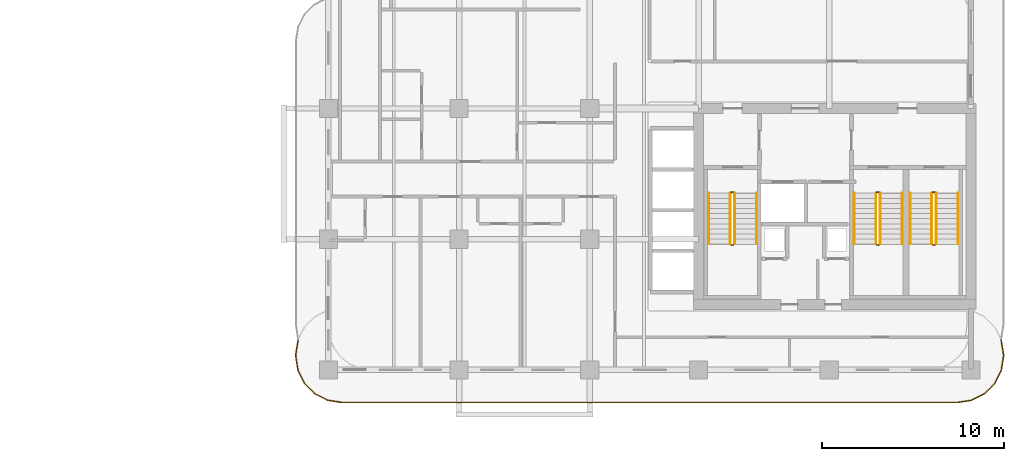
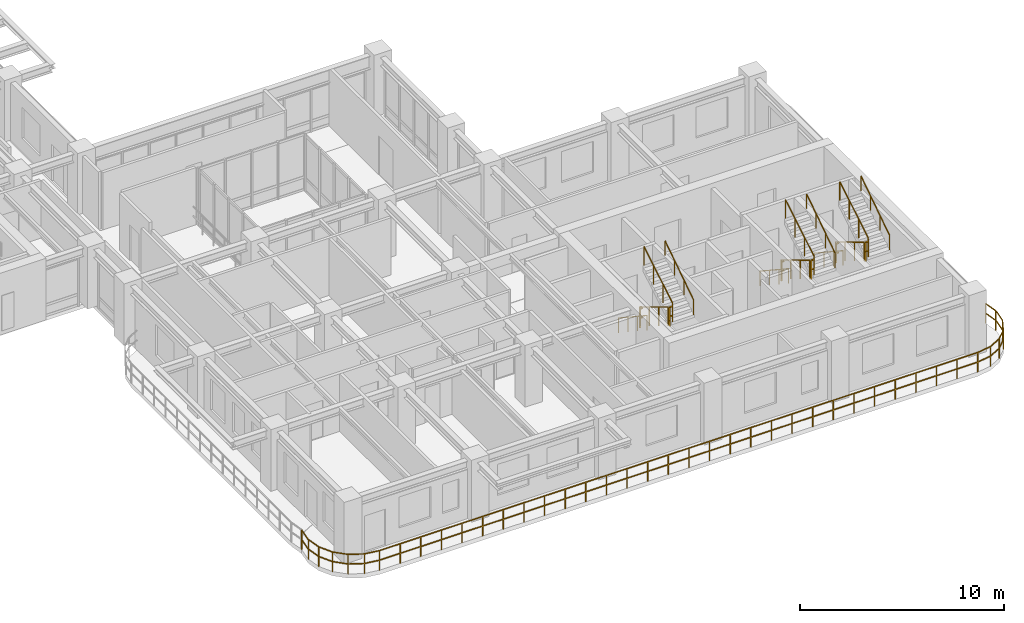
# One storey, part 17 of 19: 19 railings.
"""IFC4 building model written with IfcOpenShell, lengths in metres."""

from ifc_helpers import new_model, si_unit, derived_unit, direction, frame, origin, origin_2d, place, context, subcontext, project, spatial, rectangle, extrude, material, type_object, element, save


model = new_model("IFC4")

# Units and contexts
model_context = context("Model", 3, precision=1e-05, world=origin(), true_north=direction((0.0, 1.0)))
body_context = subcontext(model_context, "Body", "Model", "MODEL_VIEW")
ifc_project = project(units=[si_unit("LENGTHUNIT", "METRE"), si_unit("AREAUNIT", "SQUARE_METRE"), si_unit("VOLUMEUNIT", "CUBIC_METRE"), si_unit("PLANEANGLEUNIT", "RADIAN"), si_unit("MASSUNIT", "GRAM", prefix="KILO"), si_unit("THERMODYNAMICTEMPERATUREUNIT", "KELVIN"), si_unit("POWERUNIT", "WATT"), derived_unit("THERMALTRANSMITTANCEUNIT", [(si_unit("POWERUNIT", "WATT"), 1), (si_unit("AREAUNIT", "SQUARE_METRE"), -1), (si_unit("THERMODYNAMICTEMPERATUREUNIT", "KELVIN"), -1)])], contexts=[model_context])

# Site, building, storey
site_placement = place(None, origin())
site = spatial("IfcSite", under=ifc_project, at=site_placement, CompositionType="ELEMENT")
building_placement = place(site_placement, origin())
building = spatial("IfcBuilding", under=site, at=building_placement, Name="Zahravan Archway Hotel and Residences", CompositionType="ELEMENT")
storey_placement = place(building_placement, frame((0.0, 0.0, 134.0)))
storey = spatial("IfcBuildingStorey", under=building, at=storey_placement, Name="L33", CompositionType="ELEMENT", Elevation=134.0)

# Railings
ifc_material_1 = material(Name="Bronze & Laminated Glass Balustrade", Category="glass")
railing_type_1 = type_object("IfcRailingType", Name="RL-BAL-1200", PredefinedType="BALUSTRADE", material=ifc_material_1)
railing_1_placement = place(storey_placement, frame((51.47509765625, 1.637939453125, 0.0)))
element("IfcRailing", 1, at=railing_1_placement, inside=storey, type_object=railing_type_1, Name="L33 Balustrade RL-SLB-BAL-L33-SA-1", PredefinedType="BALUSTRADE", context=body_context, shape_type="SweptSolid", body=[
    extrude(rectangle(XDim=0.048095703125, YDim=0.048095703125, at=origin_2d()), frame((0.0, 0.0, 1.17578125), z_axis=(0.156701202656, -0.987646056584, 0.0), x_axis=(0.987646056584, 0.156701202656, 0.0)), (0.0, 0.0, 1.0), 0.797607421875),
    extrude(rectangle(XDim=0.048095703125, YDim=0.048095703125, at=origin_2d()), frame((0.0, 0.0, 0.60009765625), z_axis=(0.156701202656, -0.987646056584, 0.0), x_axis=(0.987646056584, 0.156701202656, 0.0)), (0.0, 0.0, 1.0), 0.797607421875),
    extrude(rectangle(XDim=0.048095703125, YDim=0.048095703125, at=origin_2d()), frame((0.125, -0.787841796875, 1.17578125), z_axis=(0.0, -1.0, 0.0), x_axis=(1.0, 0.0, 0.0)), (0.0, 0.0, 1.0), 0.10009765625),
    extrude(rectangle(XDim=0.048095703125, YDim=0.048095703125, at=origin_2d()), frame((0.125, -0.787841796875, 0.60009765625), z_axis=(0.0, -1.0, 0.0), x_axis=(1.0, 0.0, 0.0)), (0.0, 0.0, 1.0), 0.10009765625),
    extrude(rectangle(XDim=0.048095703125, YDim=0.048095703125, at=origin_2d()), frame((0.125, -0.887939453125, 1.17578125), z_axis=(-0.156653849773, -0.98765356849, 0.0), x_axis=(0.98765356849, -0.156653849773, 0.0)), (0.0, 0.0, 1.0), 0.7978515625),
    extrude(rectangle(XDim=0.048095703125, YDim=0.048095703125, at=origin_2d()), frame((0.125, -0.887939453125, 0.60009765625), z_axis=(-0.156653849773, -0.98765356849, 0.0), x_axis=(0.98765356849, -0.156653849773, 0.0)), (0.0, 0.0, 1.0), 0.7978515625),
    extrude(rectangle(XDim=0.048095703125, YDim=0.048095703125, at=origin_2d()), frame((0.0, -1.676025390625, 1.17578125), z_axis=(-0.453934952053, -0.891034824967, 0.0), x_axis=(0.891034824967, -0.453934952053, 0.0)), (0.0, 0.0, 1.0), 0.797607421875),
    extrude(rectangle(XDim=0.048095703125, YDim=0.048095703125, at=origin_2d()), frame((0.0, -1.676025390625, 0.60009765625), z_axis=(-0.453934952053, -0.891034824967, 0.0), x_axis=(0.891034824967, -0.453934952053, 0.0)), (0.0, 0.0, 1.0), 0.797607421875),
    extrude(rectangle(XDim=0.048095703125, YDim=0.048095703125, at=origin_2d()), frame((-0.362060546875, -2.38671875, 1.17578125), z_axis=(-0.707106781187, -0.707106781187, 0.0), x_axis=(0.707106781187, -0.707106781187, 0.0)), (0.0, 0.0, 1.0), 0.7978515625),
    extrude(rectangle(XDim=0.048095703125, YDim=0.048095703125, at=origin_2d()), frame((-0.362060546875, -2.38671875, 0.60009765625), z_axis=(-0.707106781187, -0.707106781187, 0.0), x_axis=(0.707106781187, -0.707106781187, 0.0)), (0.0, 0.0, 1.0), 0.7978515625),
    extrude(rectangle(XDim=0.048095703125, YDim=0.048095703125, at=origin_2d()), frame((-0.92626953125, -2.950927734375, 1.17578125), z_axis=(-0.890974108706, -0.454054113091, 0.0), x_axis=(0.454054113091, -0.890974108706, 0.0)), (0.0, 0.0, 1.0), 0.7978515625),
    extrude(rectangle(XDim=0.048095703125, YDim=0.048095703125, at=origin_2d()), frame((-0.92626953125, -2.950927734375, 0.60009765625), z_axis=(-0.890974108706, -0.454054113091, 0.0), x_axis=(0.454054113091, -0.890974108706, 0.0)), (0.0, 0.0, 1.0), 0.7978515625),
    extrude(rectangle(XDim=0.048095703125, YDim=0.048095703125, at=origin_2d()), frame((-1.63720703125, -3.313232421875, 1.17578125), z_axis=(-0.987693380745, -0.156402639467, 0.0), x_axis=(0.156402639467, -0.987693380745, 0.0)), (0.0, 0.0, 1.0), 0.797607421875),
    extrude(rectangle(XDim=0.048095703125, YDim=0.048095703125, at=origin_2d()), frame((-1.63720703125, -3.313232421875, 0.60009765625), z_axis=(-0.987693380745, -0.156402639467, 0.0), x_axis=(0.156402639467, -0.987693380745, 0.0)), (0.0, 0.0, 1.0), 0.797607421875),
    extrude(rectangle(XDim=0.048095703125, YDim=0.048095703125, at=origin_2d()), frame((-2.425048828125, -3.43798828125, 1.17578125), z_axis=(-1.0, 0.0, 0.0), x_axis=(0.0, -1.0, 0.0)), (0.0, 0.0, 1.0), 33.900146484375),
    extrude(rectangle(XDim=0.048095703125, YDim=0.048095703125, at=origin_2d()), frame((-2.425048828125, -3.43798828125, 0.60009765625), z_axis=(-1.0, 0.0, 0.0), x_axis=(0.0, -1.0, 0.0)), (0.0, 0.0, 1.0), 33.900146484375),
    extrude(rectangle(XDim=0.048095703125, YDim=0.048095703125, at=origin_2d()), frame((-36.3251953125, -3.43798828125, 1.17578125), z_axis=(-0.987693380745, 0.156402639467, 0.0), x_axis=(-0.156402639467, -0.987693380745, 0.0)), (0.0, 0.0, 1.0), 0.797607421875),
    extrude(rectangle(XDim=0.048095703125, YDim=0.048095703125, at=origin_2d()), frame((-36.3251953125, -3.43798828125, 0.60009765625), z_axis=(-0.987693380745, 0.156402639467, 0.0), x_axis=(-0.156402639467, -0.987693380745, 0.0)), (0.0, 0.0, 1.0), 0.797607421875),
    extrude(rectangle(XDim=0.048095703125, YDim=0.048095703125, at=origin_2d()), frame((-37.113037109375, -3.313232421875, 1.17578125), z_axis=(-0.890974108706, 0.454054113091, 0.0), x_axis=(-0.454054113091, -0.890974108706, 0.0)), (0.0, 0.0, 1.0), 0.7978515625),
    extrude(rectangle(XDim=0.048095703125, YDim=0.048095703125, at=origin_2d()), frame((-37.113037109375, -3.313232421875, 0.60009765625), z_axis=(-0.890974108706, 0.454054113091, 0.0), x_axis=(-0.454054113091, -0.890974108706, 0.0)), (0.0, 0.0, 1.0), 0.7978515625),
    extrude(rectangle(XDim=0.048095703125, YDim=0.048095703125, at=origin_2d()), frame((-37.823974609375, -2.950927734375, 1.17578125), z_axis=(-0.707106781187, 0.707106781187, 0.0), x_axis=(-0.707106781187, -0.707106781187, 0.0)), (0.0, 0.0, 1.0), 0.7978515625),
    extrude(rectangle(XDim=0.048095703125, YDim=0.048095703125, at=origin_2d()), frame((-37.823974609375, -2.950927734375, 0.60009765625), z_axis=(-0.707106781187, 0.707106781187, 0.0), x_axis=(-0.707106781187, -0.707106781187, 0.0)), (0.0, 0.0, 1.0), 0.7978515625),
    extrude(rectangle(XDim=0.048095703125, YDim=0.048095703125, at=origin_2d()), frame((-38.38818359375, -2.38671875, 1.17578125), z_axis=(-0.453934952053, 0.891034824967, 0.0), x_axis=(-0.891034824967, -0.453934952053, 0.0)), (0.0, 0.0, 1.0), 0.797607421875),
    extrude(rectangle(XDim=0.048095703125, YDim=0.048095703125, at=origin_2d()), frame((-38.38818359375, -2.38671875, 0.60009765625), z_axis=(-0.453934952053, 0.891034824967, 0.0), x_axis=(-0.891034824967, -0.453934952053, 0.0)), (0.0, 0.0, 1.0), 0.797607421875),
    extrude(rectangle(XDim=0.048095703125, YDim=0.048095703125, at=origin_2d()), frame((-38.750244140625, -1.676025390625, 1.17578125), z_axis=(-0.156355372278, 0.987700864412, 0.0), x_axis=(-0.987700864412, -0.156355372278, 0.0)), (0.0, 0.0, 1.0), 0.7978515625),
    extrude(rectangle(XDim=0.048095703125, YDim=0.048095703125, at=origin_2d()), frame((-38.750244140625, -1.676025390625, 0.60009765625), z_axis=(-0.156355372278, 0.987700864412, 0.0), x_axis=(-0.987700864412, -0.156355372278, 0.0)), (0.0, 0.0, 1.0), 0.7978515625),
    extrude(rectangle(XDim=0.048095703125, YDim=0.048095703125, at=origin_2d()), frame((-38.875, -0.887939453125, 1.17578125), z_axis=(0.0, 1.0, 0.0), x_axis=(-1.0, 0.0, 0.0)), (0.0, 0.0, 1.0), 0.10009765625),
    extrude(rectangle(XDim=0.048095703125, YDim=0.048095703125, at=origin_2d()), frame((-38.875, -0.887939453125, 0.60009765625), z_axis=(0.0, 1.0, 0.0), x_axis=(-1.0, 0.0, 0.0)), (0.0, 0.0, 1.0), 0.10009765625),
    extrude(rectangle(XDim=0.048095703125, YDim=0.048095703125, at=origin_2d()), frame((-38.875, -0.787841796875, 1.17578125), z_axis=(0.156402639467, 0.987693380745, 0.0), x_axis=(-0.987693380745, 0.156402639467, 0.0)), (0.0, 0.0, 1.0), 0.797607421875),
    extrude(rectangle(XDim=0.048095703125, YDim=0.048095703125, at=origin_2d()), frame((-38.875, -0.787841796875, 0.60009765625), z_axis=(0.156402639467, 0.987693380745, 0.0), x_axis=(-0.987693380745, 0.156402639467, 0.0)), (0.0, 0.0, 1.0), 0.797607421875),
    extrude(rectangle(XDim=0.0419921875, YDim=0.0419921875, at=origin_2d()), origin(), (0.0, 0.0, 1.0), 1.15185546875),
    extrude(rectangle(XDim=0.0419921875, YDim=0.0419921875, at=origin_2d()), frame((0.125, -0.787841796875, 0.0)), (0.0, 0.0, 1.0), 1.15185546875),
    extrude(rectangle(XDim=0.0419921875, YDim=0.0419921875, at=origin_2d()), frame((0.0, -1.676025390625, 0.0)), (0.0, 0.0, 1.0), 1.15185546875),
    extrude(rectangle(XDim=0.0419921875, YDim=0.0419921875, at=origin_2d()), frame((-0.362060546875, -2.38671875, 0.0)), (0.0, 0.0, 1.0), 1.15185546875),
    extrude(rectangle(XDim=0.0419921875, YDim=0.0419921875, at=origin_2d()), frame((-0.92626953125, -2.950927734375, 0.0)), (0.0, 0.0, 1.0), 1.15185546875),
    extrude(rectangle(XDim=0.0419921875, YDim=0.0419921875, at=origin_2d()), frame((-1.63720703125, -3.313232421875, 0.0)), (0.0, 0.0, 1.0), 1.15185546875),
    extrude(rectangle(XDim=0.0419921875, YDim=0.0419921875, at=origin_2d()), frame((-2.425048828125, -3.43798828125, 0.0)), (0.0, 0.0, 1.0), 1.15185546875),
    extrude(rectangle(XDim=0.0419921875, YDim=0.0419921875, at=origin_2d()), frame((-3.593994140625, -3.43798828125, 0.0)), (0.0, 0.0, 1.0), 1.15185546875),
    extrude(rectangle(XDim=0.0419921875, YDim=0.0419921875, at=origin_2d()), frame((-4.762939453125, -3.43798828125, 0.0)), (0.0, 0.0, 1.0), 1.15185546875),
    extrude(rectangle(XDim=0.0419921875, YDim=0.0419921875, at=origin_2d()), frame((-5.931884765625, -3.43798828125, 0.0)), (0.0, 0.0, 1.0), 1.15185546875),
    extrude(rectangle(XDim=0.0419921875, YDim=0.0419921875, at=origin_2d()), frame((-7.100830078125, -3.43798828125, 0.0)), (0.0, 0.0, 1.0), 1.15185546875),
    extrude(rectangle(XDim=0.0419921875, YDim=0.0419921875, at=origin_2d()), frame((-8.27001953125, -3.43798828125, 0.0)), (0.0, 0.0, 1.0), 1.15185546875),
    extrude(rectangle(XDim=0.0419921875, YDim=0.0419921875, at=origin_2d()), frame((-9.43896484375, -3.43798828125, 0.0)), (0.0, 0.0, 1.0), 1.15185546875),
    extrude(rectangle(XDim=0.0419921875, YDim=0.0419921875, at=origin_2d()), frame((-10.60791015625, -3.43798828125, 0.0)), (0.0, 0.0, 1.0), 1.15185546875),
    extrude(rectangle(XDim=0.0419921875, YDim=0.0419921875, at=origin_2d()), frame((-11.77685546875, -3.43798828125, 0.0)), (0.0, 0.0, 1.0), 1.15185546875),
    extrude(rectangle(XDim=0.0419921875, YDim=0.0419921875, at=origin_2d()), frame((-12.94580078125, -3.43798828125, 0.0)), (0.0, 0.0, 1.0), 1.15185546875),
    extrude(rectangle(XDim=0.0419921875, YDim=0.0419921875, at=origin_2d()), frame((-14.11474609375, -3.43798828125, 0.0)), (0.0, 0.0, 1.0), 1.15185546875),
    extrude(rectangle(XDim=0.0419921875, YDim=0.0419921875, at=origin_2d()), frame((-15.28369140625, -3.43798828125, 0.0)), (0.0, 0.0, 1.0), 1.15185546875),
    extrude(rectangle(XDim=0.0419921875, YDim=0.0419921875, at=origin_2d()), frame((-16.45263671875, -3.43798828125, 0.0)), (0.0, 0.0, 1.0), 1.15185546875),
    extrude(rectangle(XDim=0.0419921875, YDim=0.0419921875, at=origin_2d()), frame((-17.62158203125, -3.43798828125, 0.0)), (0.0, 0.0, 1.0), 1.15185546875),
    extrude(rectangle(XDim=0.0419921875, YDim=0.0419921875, at=origin_2d()), frame((-18.79052734375, -3.43798828125, 0.0)), (0.0, 0.0, 1.0), 1.15185546875),
    extrude(rectangle(XDim=0.0419921875, YDim=0.0419921875, at=origin_2d()), frame((-19.959716796875, -3.43798828125, 0.0)), (0.0, 0.0, 1.0), 1.15185546875),
    extrude(rectangle(XDim=0.0419921875, YDim=0.0419921875, at=origin_2d()), frame((-21.128662109375, -3.43798828125, 0.0)), (0.0, 0.0, 1.0), 1.15185546875),
    extrude(rectangle(XDim=0.0419921875, YDim=0.0419921875, at=origin_2d()), frame((-22.297607421875, -3.43798828125, 0.0)), (0.0, 0.0, 1.0), 1.15185546875),
    extrude(rectangle(XDim=0.0419921875, YDim=0.0419921875, at=origin_2d()), frame((-23.466552734375, -3.43798828125, 0.0)), (0.0, 0.0, 1.0), 1.15185546875),
    extrude(rectangle(XDim=0.0419921875, YDim=0.0419921875, at=origin_2d()), frame((-24.635498046875, -3.43798828125, 0.0)), (0.0, 0.0, 1.0), 1.15185546875),
    extrude(rectangle(XDim=0.0419921875, YDim=0.0419921875, at=origin_2d()), frame((-25.804443359375, -3.43798828125, 0.0)), (0.0, 0.0, 1.0), 1.15185546875),
    extrude(rectangle(XDim=0.0419921875, YDim=0.0419921875, at=origin_2d()), frame((-26.973388671875, -3.43798828125, 0.0)), (0.0, 0.0, 1.0), 1.15185546875),
    extrude(rectangle(XDim=0.0419921875, YDim=0.0419921875, at=origin_2d()), frame((-28.142333984375, -3.43798828125, 0.0)), (0.0, 0.0, 1.0), 1.15185546875),
    extrude(rectangle(XDim=0.0419921875, YDim=0.0419921875, at=origin_2d()), frame((-29.311279296875, -3.43798828125, 0.0)), (0.0, 0.0, 1.0), 1.15185546875),
    extrude(rectangle(XDim=0.0419921875, YDim=0.0419921875, at=origin_2d()), frame((-30.480224609375, -3.43798828125, 0.0)), (0.0, 0.0, 1.0), 1.15185546875),
    extrude(rectangle(XDim=0.0419921875, YDim=0.0419921875, at=origin_2d()), frame((-31.6494140625, -3.43798828125, 0.0)), (0.0, 0.0, 1.0), 1.15185546875),
    extrude(rectangle(XDim=0.0419921875, YDim=0.0419921875, at=origin_2d()), frame((-32.818359375, -3.43798828125, 0.0)), (0.0, 0.0, 1.0), 1.15185546875),
    extrude(rectangle(XDim=0.0419921875, YDim=0.0419921875, at=origin_2d()), frame((-33.9873046875, -3.43798828125, 0.0)), (0.0, 0.0, 1.0), 1.15185546875),
    extrude(rectangle(XDim=0.0419921875, YDim=0.0419921875, at=origin_2d()), frame((-35.15625, -3.43798828125, 0.0)), (0.0, 0.0, 1.0), 1.15185546875),
    extrude(rectangle(XDim=0.0419921875, YDim=0.0419921875, at=origin_2d()), frame((-36.3251953125, -3.43798828125, 0.0)), (0.0, 0.0, 1.0), 1.15185546875),
    extrude(rectangle(XDim=0.0419921875, YDim=0.0419921875, at=origin_2d()), frame((-37.113037109375, -3.313232421875, 0.0)), (0.0, 0.0, 1.0), 1.15185546875),
    extrude(rectangle(XDim=0.0419921875, YDim=0.0419921875, at=origin_2d()), frame((-37.823974609375, -2.950927734375, 0.0)), (0.0, 0.0, 1.0), 1.15185546875),
    extrude(rectangle(XDim=0.0419921875, YDim=0.0419921875, at=origin_2d()), frame((-38.38818359375, -2.38671875, 0.0)), (0.0, 0.0, 1.0), 1.15185546875),
    extrude(rectangle(XDim=0.0419921875, YDim=0.0419921875, at=origin_2d()), frame((-38.750244140625, -1.676025390625, 0.0)), (0.0, 0.0, 1.0), 1.15185546875),
    extrude(rectangle(XDim=0.0419921875, YDim=0.0419921875, at=origin_2d()), frame((-38.875, -0.887939453125, 0.0)), (0.0, 0.0, 1.0), 1.15185546875),
    extrude(rectangle(XDim=0.0419921875, YDim=0.0419921875, at=origin_2d()), frame((-38.750244140625, 0.0, 0.0)), (0.0, 0.0, 1.0), 1.15185546875),
])
ifc_material_2 = material(Name="Painted Tubular Steel", Category="steel")
railing_type_2 = type_object("IfcRailingType", Name="RL-STG-1150", PredefinedType="GUARDRAIL", material=ifc_material_2)
railing_2_placement = place(storey_placement, frame((36.550048828125, 9.72998046875, 0.168212890625)))
element("IfcRailing", 2, at=railing_2_placement, inside=storey, type_object=railing_type_2, Name="L33 ST-A1 stair guard 1", PredefinedType="GUARDRAIL", context=body_context, shape_type="SweptSolid", body=[
    extrude(rectangle(XDim=0.048095703125, YDim=0.048095703125, at=origin_2d()), frame((0.0, 0.0, 1.1259765625), z_axis=(0.0, -0.857242210791, 0.514913383045), x_axis=(1.0, 0.0, 0.0)), (0.0, 0.0, 1.0), 3.266357421875),
    extrude(rectangle(XDim=0.0419921875, YDim=0.0419921875, at=origin_2d()), origin(), (0.0, 0.0, 1.0), 1.101806640625),
    extrude(rectangle(XDim=0.0419921875, YDim=0.0419921875, at=origin_2d()), frame((0.0, -0.933349609375, 0.560546875)), (0.0, 0.0, 1.0), 1.101806640625),
    extrude(rectangle(XDim=0.0419921875, YDim=0.0419921875, at=origin_2d()), frame((0.0, -1.86669921875, 1.121337890625)), (0.0, 0.0, 1.0), 1.101806640625),
    extrude(rectangle(XDim=0.0419921875, YDim=0.0419921875, at=origin_2d()), frame((0.0, -2.800048828125, 1.681884765625)), (0.0, 0.0, 1.0), 1.101806640625),
])
railing_3_placement = place(storey_placement, frame((36.60009765625, 6.8798828125, 1.85009765625)))
element("IfcRailing", 3, at=railing_3_placement, inside=storey, type_object=railing_type_2, Name="L33 ST-A1 stair guard 2", PredefinedType="GUARDRAIL", context=body_context, shape_type="SweptSolid", body=[
    extrude(rectangle(XDim=0.048095703125, YDim=0.048095703125, at=origin_2d()), frame((0.0, 0.0, 1.1259765625), z_axis=(1.0, 0.0, 0.0), x_axis=(0.0, 1.0, 0.0)), (0.0, 0.0, 1.0), 0.139892578125),
    extrude(rectangle(XDim=0.048095703125, YDim=0.048095703125, at=origin_2d()), frame((0.0, 0.0, 0.574951171875), z_axis=(1.0, 0.0, 0.0), x_axis=(0.0, 1.0, 0.0)), (0.0, 0.0, 1.0), 0.139892578125),
    extrude(rectangle(XDim=0.0419921875, YDim=0.0419921875, at=origin_2d()), origin(), (0.0, 0.0, 1.0), 1.101806640625),
])
railing_4_placement = place(storey_placement, frame((36.7900390625, 6.929931640625, 2.01806640625)))
element("IfcRailing", 4, at=railing_4_placement, inside=storey, type_object=railing_type_2, Name="L33 ST-A1 stair guard 3", PredefinedType="GUARDRAIL", context=body_context, shape_type="SweptSolid", body=[
    extrude(rectangle(XDim=0.048095703125, YDim=0.048095703125, at=origin_2d()), frame((0.0, 0.0, 1.1259765625), z_axis=(0.0, 0.857242210791, 0.514913383045), x_axis=(-1.0, 0.0, 0.0)), (0.0, 0.0, 1.0), 3.266357421875),
    extrude(rectangle(XDim=0.0419921875, YDim=0.0419921875, at=origin_2d()), origin(), (0.0, 0.0, 1.0), 1.101806640625),
    extrude(rectangle(XDim=0.0419921875, YDim=0.0419921875, at=origin_2d()), frame((0.0, 0.933349609375, 0.560546875)), (0.0, 0.0, 1.0), 1.101806640625),
    extrude(rectangle(XDim=0.0419921875, YDim=0.0419921875, at=origin_2d()), frame((0.0, 1.86669921875, 1.121337890625)), (0.0, 0.0, 1.0), 1.101806640625),
    extrude(rectangle(XDim=0.0419921875, YDim=0.0419921875, at=origin_2d()), frame((0.0, 2.800048828125, 1.681884765625)), (0.0, 0.0, 1.0), 1.101806640625),
])
railing_5_placement = place(storey_placement, frame((36.60009765625, 9.780029296875, 0.0)))
element("IfcRailing", 5, at=railing_5_placement, inside=storey, type_object=railing_type_2, Name="L33 ST-A1 stair guard 4", PredefinedType="GUARDRAIL", context=body_context, shape_type="SweptSolid", body=[
    extrude(rectangle(XDim=0.048095703125, YDim=0.048095703125, at=origin_2d()), frame((0.0, 0.0, 1.1259765625), z_axis=(1.0, 0.0, 0.0), x_axis=(0.0, 1.0, 0.0)), (0.0, 0.0, 1.0), 0.139892578125),
    extrude(rectangle(XDim=0.048095703125, YDim=0.048095703125, at=origin_2d()), frame((0.0, 0.0, 0.574951171875), z_axis=(1.0, 0.0, 0.0), x_axis=(0.0, 1.0, 0.0)), (0.0, 0.0, 1.0), 0.139892578125),
    extrude(rectangle(XDim=0.0419921875, YDim=0.0419921875, at=origin_2d()), origin(), (0.0, 0.0, 1.0), 1.101806640625),
])
railing_6_placement = place(storey_placement, frame((44.570068359375, 9.72998046875, 0.168212890625)))
element("IfcRailing", 6, at=railing_6_placement, inside=storey, type_object=railing_type_2, Name="L33 ST-A2 stair guard 1", PredefinedType="GUARDRAIL", context=body_context, shape_type="SweptSolid", body=[
    extrude(rectangle(XDim=0.048095703125, YDim=0.048095703125, at=origin_2d()), frame((0.0, 0.0, 1.1259765625), z_axis=(0.0, -0.857242210791, 0.514913383045), x_axis=(1.0, 0.0, 0.0)), (0.0, 0.0, 1.0), 3.266357421875),
    extrude(rectangle(XDim=0.0419921875, YDim=0.0419921875, at=origin_2d()), origin(), (0.0, 0.0, 1.0), 1.101806640625),
    extrude(rectangle(XDim=0.0419921875, YDim=0.0419921875, at=origin_2d()), frame((0.0, -0.933349609375, 0.560546875)), (0.0, 0.0, 1.0), 1.101806640625),
    extrude(rectangle(XDim=0.0419921875, YDim=0.0419921875, at=origin_2d()), frame((0.0, -1.86669921875, 1.121337890625)), (0.0, 0.0, 1.0), 1.101806640625),
    extrude(rectangle(XDim=0.0419921875, YDim=0.0419921875, at=origin_2d()), frame((0.0, -2.800048828125, 1.681884765625)), (0.0, 0.0, 1.0), 1.101806640625),
])
railing_7_placement = place(storey_placement, frame((44.6201171875, 6.8798828125, 1.85009765625)))
element("IfcRailing", 7, at=railing_7_placement, inside=storey, type_object=railing_type_2, Name="L33 ST-A2 stair guard 2", PredefinedType="GUARDRAIL", context=body_context, shape_type="SweptSolid", body=[
    extrude(rectangle(XDim=0.048095703125, YDim=0.048095703125, at=origin_2d()), frame((0.0, 0.0, 1.1259765625), z_axis=(1.0, 0.0, 0.0), x_axis=(0.0, 1.0, 0.0)), (0.0, 0.0, 1.0), 0.139892578125),
    extrude(rectangle(XDim=0.048095703125, YDim=0.048095703125, at=origin_2d()), frame((0.0, 0.0, 0.574951171875), z_axis=(1.0, 0.0, 0.0), x_axis=(0.0, 1.0, 0.0)), (0.0, 0.0, 1.0), 0.139892578125),
    extrude(rectangle(XDim=0.0419921875, YDim=0.0419921875, at=origin_2d()), origin(), (0.0, 0.0, 1.0), 1.101806640625),
])
railing_8_placement = place(storey_placement, frame((44.81005859375, 6.929931640625, 2.01806640625)))
element("IfcRailing", 8, at=railing_8_placement, inside=storey, type_object=railing_type_2, Name="L33 ST-A2 stair guard 3", PredefinedType="GUARDRAIL", context=body_context, shape_type="SweptSolid", body=[
    extrude(rectangle(XDim=0.048095703125, YDim=0.048095703125, at=origin_2d()), frame((0.0, 0.0, 1.1259765625), z_axis=(0.0, 0.857242210791, 0.514913383045), x_axis=(-1.0, 0.0, 0.0)), (0.0, 0.0, 1.0), 3.266357421875),
    extrude(rectangle(XDim=0.0419921875, YDim=0.0419921875, at=origin_2d()), origin(), (0.0, 0.0, 1.0), 1.101806640625),
    extrude(rectangle(XDim=0.0419921875, YDim=0.0419921875, at=origin_2d()), frame((0.0, 0.933349609375, 0.560546875)), (0.0, 0.0, 1.0), 1.101806640625),
    extrude(rectangle(XDim=0.0419921875, YDim=0.0419921875, at=origin_2d()), frame((0.0, 1.86669921875, 1.121337890625)), (0.0, 0.0, 1.0), 1.101806640625),
    extrude(rectangle(XDim=0.0419921875, YDim=0.0419921875, at=origin_2d()), frame((0.0, 2.800048828125, 1.681884765625)), (0.0, 0.0, 1.0), 1.101806640625),
])
railing_9_placement = place(storey_placement, frame((44.6201171875, 9.780029296875, 0.0)))
element("IfcRailing", 9, at=railing_9_placement, inside=storey, type_object=railing_type_2, Name="L33 ST-A2 stair guard 4", PredefinedType="GUARDRAIL", context=body_context, shape_type="SweptSolid", body=[
    extrude(rectangle(XDim=0.048095703125, YDim=0.048095703125, at=origin_2d()), frame((0.0, 0.0, 1.1259765625), z_axis=(1.0, 0.0, 0.0), x_axis=(0.0, 1.0, 0.0)), (0.0, 0.0, 1.0), 0.139892578125),
    extrude(rectangle(XDim=0.048095703125, YDim=0.048095703125, at=origin_2d()), frame((0.0, 0.0, 0.574951171875), z_axis=(1.0, 0.0, 0.0), x_axis=(0.0, 1.0, 0.0)), (0.0, 0.0, 1.0), 0.139892578125),
    extrude(rectangle(XDim=0.0419921875, YDim=0.0419921875, at=origin_2d()), origin(), (0.0, 0.0, 1.0), 1.101806640625),
])
railing_10_placement = place(storey_placement, frame((47.64990234375, 9.72998046875, 0.168212890625)))
element("IfcRailing", 10, at=railing_10_placement, inside=storey, type_object=railing_type_2, Name="L33 ST-A3 stair guard 1", PredefinedType="GUARDRAIL", context=body_context, shape_type="SweptSolid", body=[
    extrude(rectangle(XDim=0.048095703125, YDim=0.048095703125, at=origin_2d()), frame((0.0, 0.0, 1.1259765625), z_axis=(0.0, -0.857242210791, 0.514913383045), x_axis=(1.0, 0.0, 0.0)), (0.0, 0.0, 1.0), 3.266357421875),
    extrude(rectangle(XDim=0.0419921875, YDim=0.0419921875, at=origin_2d()), origin(), (0.0, 0.0, 1.0), 1.101806640625),
    extrude(rectangle(XDim=0.0419921875, YDim=0.0419921875, at=origin_2d()), frame((0.0, -0.933349609375, 0.560546875)), (0.0, 0.0, 1.0), 1.101806640625),
    extrude(rectangle(XDim=0.0419921875, YDim=0.0419921875, at=origin_2d()), frame((0.0, -1.86669921875, 1.121337890625)), (0.0, 0.0, 1.0), 1.101806640625),
    extrude(rectangle(XDim=0.0419921875, YDim=0.0419921875, at=origin_2d()), frame((0.0, -2.800048828125, 1.681884765625)), (0.0, 0.0, 1.0), 1.101806640625),
])
railing_11_placement = place(storey_placement, frame((47.699951171875, 6.8798828125, 1.85009765625)))
element("IfcRailing", 11, at=railing_11_placement, inside=storey, type_object=railing_type_2, Name="L33 ST-A3 stair guard 2", PredefinedType="GUARDRAIL", context=body_context, shape_type="SweptSolid", body=[
    extrude(rectangle(XDim=0.048095703125, YDim=0.048095703125, at=origin_2d()), frame((0.0, 0.0, 1.1259765625), z_axis=(1.0, 0.0, 0.0), x_axis=(0.0, 1.0, 0.0)), (0.0, 0.0, 1.0), 0.14013671875),
    extrude(rectangle(XDim=0.048095703125, YDim=0.048095703125, at=origin_2d()), frame((0.0, 0.0, 0.574951171875), z_axis=(1.0, 0.0, 0.0), x_axis=(0.0, 1.0, 0.0)), (0.0, 0.0, 1.0), 0.14013671875),
    extrude(rectangle(XDim=0.0419921875, YDim=0.0419921875, at=origin_2d()), origin(), (0.0, 0.0, 1.0), 1.101806640625),
])
railing_12_placement = place(storey_placement, frame((47.889892578125, 6.929931640625, 2.01806640625)))
element("IfcRailing", 12, at=railing_12_placement, inside=storey, type_object=railing_type_2, Name="L33 ST-A3 stair guard 3", PredefinedType="GUARDRAIL", context=body_context, shape_type="SweptSolid", body=[
    extrude(rectangle(XDim=0.048095703125, YDim=0.048095703125, at=origin_2d()), frame((0.0, 0.0, 1.1259765625), z_axis=(0.0, 0.857242210791, 0.514913383045), x_axis=(-1.0, 0.0, 0.0)), (0.0, 0.0, 1.0), 3.266357421875),
    extrude(rectangle(XDim=0.0419921875, YDim=0.0419921875, at=origin_2d()), origin(), (0.0, 0.0, 1.0), 1.101806640625),
    extrude(rectangle(XDim=0.0419921875, YDim=0.0419921875, at=origin_2d()), frame((0.0, 0.933349609375, 0.560546875)), (0.0, 0.0, 1.0), 1.101806640625),
    extrude(rectangle(XDim=0.0419921875, YDim=0.0419921875, at=origin_2d()), frame((0.0, 1.86669921875, 1.121337890625)), (0.0, 0.0, 1.0), 1.101806640625),
    extrude(rectangle(XDim=0.0419921875, YDim=0.0419921875, at=origin_2d()), frame((0.0, 2.800048828125, 1.681884765625)), (0.0, 0.0, 1.0), 1.101806640625),
])
railing_13_placement = place(storey_placement, frame((47.699951171875, 9.780029296875, 0.0)))
element("IfcRailing", 13, at=railing_13_placement, inside=storey, type_object=railing_type_2, Name="L33 ST-A3 stair guard 4", PredefinedType="GUARDRAIL", context=body_context, shape_type="SweptSolid", body=[
    extrude(rectangle(XDim=0.048095703125, YDim=0.048095703125, at=origin_2d()), frame((0.0, 0.0, 1.1259765625), z_axis=(1.0, 0.0, 0.0), x_axis=(0.0, 1.0, 0.0)), (0.0, 0.0, 1.0), 0.14013671875),
    extrude(rectangle(XDim=0.048095703125, YDim=0.048095703125, at=origin_2d()), frame((0.0, 0.0, 0.574951171875), z_axis=(1.0, 0.0, 0.0), x_axis=(0.0, 1.0, 0.0)), (0.0, 0.0, 1.0), 0.14013671875),
    extrude(rectangle(XDim=0.0419921875, YDim=0.0419921875, at=origin_2d()), origin(), (0.0, 0.0, 1.0), 1.101806640625),
])
ifc_material_3 = material(Name="Brushed Stainless Steel", Category="steel")
railing_type_3 = type_object("IfcRailingType", Name="RL-STH-900", PredefinedType="HANDRAIL", material=ifc_material_3)
railing_14_placement = place(storey_placement, frame((35.35009765625, 9.72998046875, 0.168212890625)))
element("IfcRailing", 14, at=railing_14_placement, inside=storey, type_object=railing_type_3, Name="L33 ST-A1 stair handrail 1", PredefinedType="HANDRAIL", context=body_context, shape_type="SweptSolid", body=[
    extrude(rectangle(XDim=0.048095703125, YDim=0.048095703125, at=origin_2d()), frame((0.0, 0.0, 0.8759765625), z_axis=(0.0, -0.83435981716, 0.551220187865), x_axis=(1.0, 0.0, 0.0)), (0.0, 0.0, 1.0), 3.35595703125),
    extrude(rectangle(XDim=0.0419921875, YDim=0.0419921875, at=origin_2d()), origin(), (0.0, 0.0, 1.0), 0.851806640625),
    extrude(rectangle(XDim=0.0419921875, YDim=0.0419921875, at=origin_2d()), frame((0.0, -0.933349609375, 0.61669921875)), (0.0, 0.0, 1.0), 0.851806640625),
    extrude(rectangle(XDim=0.0419921875, YDim=0.0419921875, at=origin_2d()), frame((0.0, -1.86669921875, 1.233154296875)), (0.0, 0.0, 1.0), 0.851806640625),
    extrude(rectangle(XDim=0.0419921875, YDim=0.0419921875, at=origin_2d()), frame((0.0, -2.800048828125, 1.849853515625)), (0.0, 0.0, 1.0), 0.851806640625),
])
railing_15_placement = place(storey_placement, frame((37.989990234375, 6.929931640625, 2.01806640625)))
element("IfcRailing", 15, at=railing_15_placement, inside=storey, type_object=railing_type_3, Name="L33 ST-A1 stair handrail 2", PredefinedType="HANDRAIL", context=body_context, shape_type="SweptSolid", body=[
    extrude(rectangle(XDim=0.048095703125, YDim=0.048095703125, at=origin_2d()), frame((0.0, 0.0, 0.8759765625), z_axis=(0.0, 0.834326358476, 0.551270829586), x_axis=(-1.0, 0.0, 0.0)), (0.0, 0.0, 1.0), 3.35595703125),
    extrude(rectangle(XDim=0.0419921875, YDim=0.0419921875, at=origin_2d()), origin(), (0.0, 0.0, 1.0), 0.851806640625),
    extrude(rectangle(XDim=0.0419921875, YDim=0.0419921875, at=origin_2d()), frame((0.0, 0.933349609375, 0.61669921875)), (0.0, 0.0, 1.0), 0.851806640625),
    extrude(rectangle(XDim=0.0419921875, YDim=0.0419921875, at=origin_2d()), frame((0.0, 1.86669921875, 1.2333984375)), (0.0, 0.0, 1.0), 0.851806640625),
    extrude(rectangle(XDim=0.0419921875, YDim=0.0419921875, at=origin_2d()), frame((0.0, 2.800048828125, 1.85009765625)), (0.0, 0.0, 1.0), 0.851806640625),
])
railing_16_placement = place(storey_placement, frame((43.3701171875, 9.72998046875, 0.168212890625)))
element("IfcRailing", 16, at=railing_16_placement, inside=storey, type_object=railing_type_3, Name="L33 ST-A2 stair handrail 1", PredefinedType="HANDRAIL", context=body_context, shape_type="SweptSolid", body=[
    extrude(rectangle(XDim=0.048095703125, YDim=0.048095703125, at=origin_2d()), frame((0.0, 0.0, 0.8759765625), z_axis=(0.0, -0.83435981716, 0.551220187865), x_axis=(1.0, 0.0, 0.0)), (0.0, 0.0, 1.0), 3.35595703125),
    extrude(rectangle(XDim=0.0419921875, YDim=0.0419921875, at=origin_2d()), origin(), (0.0, 0.0, 1.0), 0.851806640625),
    extrude(rectangle(XDim=0.0419921875, YDim=0.0419921875, at=origin_2d()), frame((0.0, -0.933349609375, 0.61669921875)), (0.0, 0.0, 1.0), 0.851806640625),
    extrude(rectangle(XDim=0.0419921875, YDim=0.0419921875, at=origin_2d()), frame((0.0, -1.86669921875, 1.233154296875)), (0.0, 0.0, 1.0), 0.851806640625),
    extrude(rectangle(XDim=0.0419921875, YDim=0.0419921875, at=origin_2d()), frame((0.0, -2.800048828125, 1.849853515625)), (0.0, 0.0, 1.0), 0.851806640625),
])
railing_17_placement = place(storey_placement, frame((46.010009765625, 6.929931640625, 2.01806640625)))
element("IfcRailing", 17, at=railing_17_placement, inside=storey, type_object=railing_type_3, Name="L33 ST-A2 stair handrail 2", PredefinedType="HANDRAIL", context=body_context, shape_type="SweptSolid", body=[
    extrude(rectangle(XDim=0.048095703125, YDim=0.048095703125, at=origin_2d()), frame((0.0, 0.0, 0.8759765625), z_axis=(0.0, 0.834326358476, 0.551270829586), x_axis=(-1.0, 0.0, 0.0)), (0.0, 0.0, 1.0), 3.35595703125),
    extrude(rectangle(XDim=0.0419921875, YDim=0.0419921875, at=origin_2d()), origin(), (0.0, 0.0, 1.0), 0.851806640625),
    extrude(rectangle(XDim=0.0419921875, YDim=0.0419921875, at=origin_2d()), frame((0.0, 0.933349609375, 0.61669921875)), (0.0, 0.0, 1.0), 0.851806640625),
    extrude(rectangle(XDim=0.0419921875, YDim=0.0419921875, at=origin_2d()), frame((0.0, 1.86669921875, 1.2333984375)), (0.0, 0.0, 1.0), 0.851806640625),
    extrude(rectangle(XDim=0.0419921875, YDim=0.0419921875, at=origin_2d()), frame((0.0, 2.800048828125, 1.85009765625)), (0.0, 0.0, 1.0), 0.851806640625),
])
railing_18_placement = place(storey_placement, frame((46.449951171875, 9.72998046875, 0.168212890625)))
element("IfcRailing", 18, at=railing_18_placement, inside=storey, type_object=railing_type_3, Name="L33 ST-A3 stair handrail 1", PredefinedType="HANDRAIL", context=body_context, shape_type="SweptSolid", body=[
    extrude(rectangle(XDim=0.048095703125, YDim=0.048095703125, at=origin_2d()), frame((0.0, 0.0, 0.8759765625), z_axis=(0.0, -0.83435981716, 0.551220187865), x_axis=(1.0, 0.0, 0.0)), (0.0, 0.0, 1.0), 3.35595703125),
    extrude(rectangle(XDim=0.0419921875, YDim=0.0419921875, at=origin_2d()), origin(), (0.0, 0.0, 1.0), 0.851806640625),
    extrude(rectangle(XDim=0.0419921875, YDim=0.0419921875, at=origin_2d()), frame((0.0, -0.933349609375, 0.61669921875)), (0.0, 0.0, 1.0), 0.851806640625),
    extrude(rectangle(XDim=0.0419921875, YDim=0.0419921875, at=origin_2d()), frame((0.0, -1.86669921875, 1.233154296875)), (0.0, 0.0, 1.0), 0.851806640625),
    extrude(rectangle(XDim=0.0419921875, YDim=0.0419921875, at=origin_2d()), frame((0.0, -2.800048828125, 1.849853515625)), (0.0, 0.0, 1.0), 0.851806640625),
])
railing_19_placement = place(storey_placement, frame((49.090087890625, 6.929931640625, 2.01806640625)))
element("IfcRailing", 19, at=railing_19_placement, inside=storey, type_object=railing_type_3, Name="L33 ST-A3 stair handrail 2", PredefinedType="HANDRAIL", context=body_context, shape_type="SweptSolid", body=[
    extrude(rectangle(XDim=0.048095703125, YDim=0.048095703125, at=origin_2d()), frame((0.0, 0.0, 0.8759765625), z_axis=(0.0, 0.834326358476, 0.551270829586), x_axis=(-1.0, 0.0, 0.0)), (0.0, 0.0, 1.0), 3.35595703125),
    extrude(rectangle(XDim=0.0419921875, YDim=0.0419921875, at=origin_2d()), origin(), (0.0, 0.0, 1.0), 0.851806640625),
    extrude(rectangle(XDim=0.0419921875, YDim=0.0419921875, at=origin_2d()), frame((0.0, 0.933349609375, 0.61669921875)), (0.0, 0.0, 1.0), 0.851806640625),
    extrude(rectangle(XDim=0.0419921875, YDim=0.0419921875, at=origin_2d()), frame((0.0, 1.86669921875, 1.2333984375)), (0.0, 0.0, 1.0), 0.851806640625),
    extrude(rectangle(XDim=0.0419921875, YDim=0.0419921875, at=origin_2d()), frame((0.0, 2.800048828125, 1.85009765625)), (0.0, 0.0, 1.0), 0.851806640625),
])

save(model, "model.ifc")
